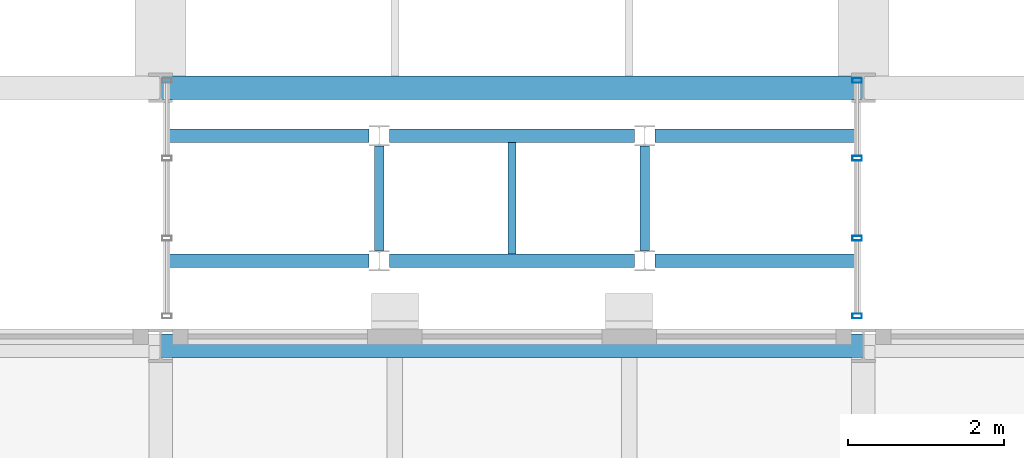
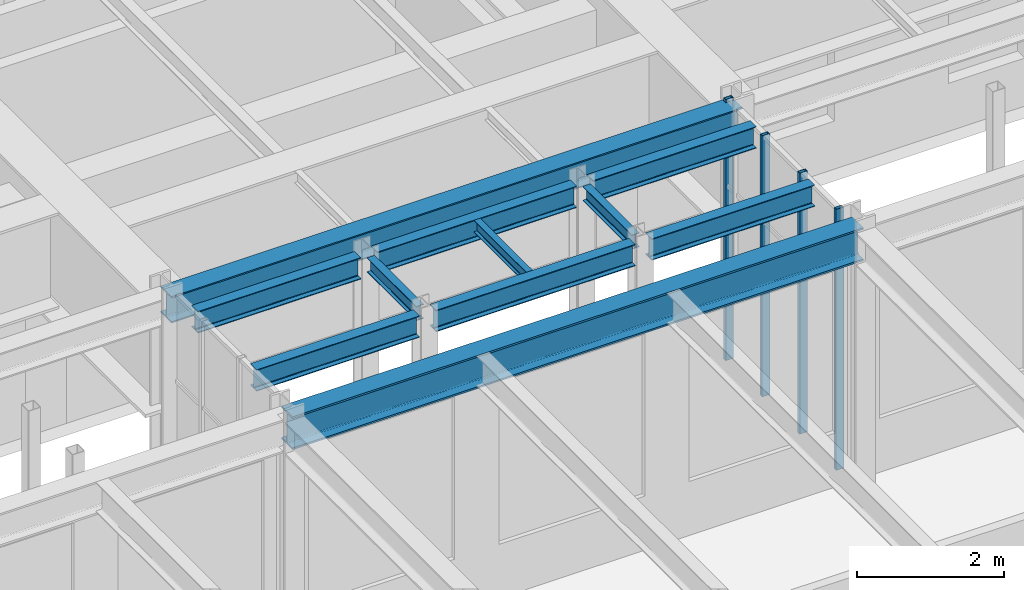
# One storey, part 65 of 153: 11 beams, 4 members, 1 element without a shape of its own.
"""IFC4 building model written with IfcOpenShell, lengths in metres."""

from ifc_helpers import new_model, si_unit, direction, frame, origin, origin_2d, place, context, subcontext, project, spatial, hollow_rectangle, i_section, extrude, material, material_profile, profile_set, type_object, element, aggregate, save


model = new_model("IFC4")

# Units and contexts
model_context = context("Model", 3, precision=1e-05, world=origin(), true_north=direction((0.0, 1.0)))
body_context = subcontext(model_context, "Body", "Model", "MODEL_VIEW")
ifc_project = project(units=[si_unit("LENGTHUNIT", "METRE"), si_unit("AREAUNIT", "SQUARE_METRE"), si_unit("VOLUMEUNIT", "CUBIC_METRE"), si_unit("PLANEANGLEUNIT", "RADIAN"), si_unit("MASSUNIT", "GRAM", prefix="KILO")], contexts=[model_context])

# Site, building, storey
site_placement = place(None, origin())
site = spatial("IfcSite", under=ifc_project, at=site_placement, CompositionType="ELEMENT")
building_placement = place(site_placement, origin())
building = spatial("IfcBuilding", under=site, at=building_placement, Name="Kallimachos Central Library", CompositionType="ELEMENT")
storey_placement = place(building_placement, frame((0.0, 0.0, 5.39990234375)))
storey = spatial("IfcBuildingStorey", under=building, at=storey_placement, Name="L01", CompositionType="ELEMENT", Elevation=5.39990234375)

# Curtain wall, members
ifc_material_1 = material(Name="Aluminium and laminated glass", Category="aluminium")
curtain_wall_type = type_object("IfcCurtainWallType", Name="Link glazed wall", PredefinedType="NOTDEFINED", material=ifc_material_1)
curtain_wall_placement = place(storey_placement, origin())
curtain_wall = element("IfcCurtainWall", 1, at=curtain_wall_placement, inside=storey, type_object=curtain_wall_type, Name="Reading Link glazed wall L01", PredefinedType="NOTDEFINED")
ifc_material_2 = material(Name="Anodised aluminium", Category="aluminium")
ifc_material_profile_1 = material_profile(ifc_material_2, hollow_rectangle(XDim=0.06005859375, YDim=0.1201171875, WallThickness=0.00390625, at=origin_2d()), Name="ALU MULLION 60x120")
ifc_profile_set_1 = profile_set([ifc_material_profile_1], Name="Anodised aluminium")
member_type = type_object("IfcMemberType", Name="ALU MULLION 60x120 mullion", PredefinedType="MULLION", material=ifc_profile_set_1)
member_1_placement = place(storey_placement, frame((92.419921875, 84.22998046875, 0.0), z_axis=(0.0, 0.0, 1.0), x_axis=(0.0, 1.0, 0.0)))
member_1 = element("IfcMember", 2, at=member_1_placement, type_object=member_type, Name="CW65 mullion 1", PredefinedType="MULLION", context=body_context, shape_type="SweptSolid", body=[
    extrude(hollow_rectangle(XDim=0.06005859375, YDim=0.1201171875, WallThickness=0.00390625, at=origin_2d()), origin(), (0.0, 0.0, 1.0), 4.35009765625),
])
member_2_placement = place(storey_placement, frame((92.419921875, 85.22509765625, 0.0), z_axis=(0.0, 0.0, 1.0), x_axis=(0.0, 1.0, 0.0)))
member_2 = element("IfcMember", 3, at=member_2_placement, type_object=member_type, Name="CW65 mullion 2", PredefinedType="MULLION", context=body_context, shape_type="SweptSolid", body=[
    extrude(hollow_rectangle(XDim=0.06005859375, YDim=0.1201171875, WallThickness=0.00390625, at=origin_2d()), origin(), (0.0, 0.0, 1.0), 4.35009765625),
])
member_3_placement = place(storey_placement, frame((92.419921875, 86.25, 0.0), z_axis=(0.0, 0.0, 1.0), x_axis=(0.0, 1.0, 0.0)))
member_3 = element("IfcMember", 4, at=member_3_placement, type_object=member_type, Name="CW65 mullion 3", PredefinedType="MULLION", context=body_context, shape_type="SweptSolid", body=[
    extrude(hollow_rectangle(XDim=0.06005859375, YDim=0.1201171875, WallThickness=0.00390625, at=origin_2d()), origin(), (0.0, 0.0, 1.0), 4.35009765625),
])
member_4_placement = place(storey_placement, frame((92.419921875, 87.2451171875, 0.0), z_axis=(0.0, 0.0, 1.0), x_axis=(0.0, 1.0, 0.0)))
member_4 = element("IfcMember", 5, at=member_4_placement, type_object=member_type, Name="CW65 mullion 4", PredefinedType="MULLION", context=body_context, shape_type="SweptSolid", body=[
    extrude(hollow_rectangle(XDim=0.06005859375, YDim=0.1201171875, WallThickness=0.00390625, at=origin_2d()), origin(), (0.0, 0.0, 1.0), 4.35009765625),
])
aggregate(curtain_wall, [member_1, member_2, member_3, member_4])

# Beams
ifc_material_3 = material(Name="Steel S355J2", Category="steel")
ifc_material_profile_2 = material_profile(ifc_material_3, i_section(OverallWidth=0.300048828125, OverallDepth=0.43994140625, WebThickness=0.011474609375, FlangeThickness=0.02099609375, FilletRadius=0.027099609375, at=origin_2d()), Name="HEA 450")
ifc_profile_set_2 = profile_set([ifc_material_profile_2], Name="Steel S355J2")
beam_type_1 = type_object("IfcBeamType", Name="HEA 450 beam", PredefinedType="BEAM", material=ifc_profile_set_2)
beam_1_placement = place(storey_placement, frame((83.5, 87.14990234375, 4.080078125), z_axis=(1.0, 0.0, 0.0), x_axis=(0.0, 1.0, 0.0)))
element("IfcBeam", 6, at=beam_1_placement, inside=storey, type_object=beam_type_1, Name="V1-BEM-L01-044", PredefinedType="BEAM", context=body_context, shape_type="SweptSolid", body=[
    extrude(i_section(OverallWidth=0.300048828125, OverallDepth=0.43994140625, WebThickness=0.011474609375, FlangeThickness=0.02099609375, FilletRadius=0.027099609375, at=origin_2d()), origin(), (0.0, 0.0, 1.0), 9.0),
])
ifc_material_4 = material(Name="Steel S355J2", Category="steel")
ifc_material_profile_3 = material_profile(ifc_material_4, i_section(OverallWidth=0.300048828125, OverallDepth=0.550048828125, WebThickness=0.014892578125, FlangeThickness=0.029052734375, FilletRadius=0.027099609375, at=origin_2d()), Name="HEB 550")
ifc_profile_set_3 = profile_set([ifc_material_profile_3], Name="Steel S355J2")
beam_type_2 = type_object("IfcBeamType", Name="HEB 550 beam", PredefinedType="BEAM", material=ifc_profile_set_3)
beam_2_placement = place(storey_placement, frame((83.5, 83.85009765625, 4.025146484375), z_axis=(1.0, 0.0, 0.0), x_axis=(0.0, 1.0, 0.0)))
element("IfcBeam", 7, at=beam_2_placement, inside=storey, type_object=beam_type_2, Name="V4-BEM-L01-006", PredefinedType="BEAM", context=body_context, shape_type="SweptSolid", body=[
    extrude(i_section(OverallWidth=0.300048828125, OverallDepth=0.550048828125, WebThickness=0.014892578125, FlangeThickness=0.029052734375, FilletRadius=0.027099609375, at=origin_2d()), origin(), (0.0, 0.0, 1.0), 9.0),
])
ifc_material_5 = material(Name="Steel S355J2", Category="steel")
ifc_material_profile_4 = material_profile(ifc_material_5, i_section(OverallWidth=0.10009765625, OverallDepth=0.199951171875, WebThickness=0.005615234375, FlangeThickness=0.008544921875, FilletRadius=0.011962890625, at=origin_2d()), Name="IPE 200")
ifc_profile_set_4 = profile_set([ifc_material_profile_4], Name="Steel S355J2")
beam_type_3 = type_object("IfcBeamType", Name="IPE 200 beam", PredefinedType="BEAM", material=ifc_profile_set_4)
beam_3_placement = place(storey_placement, frame((88.0, 85.0224609375, 4.25), z_axis=(0.0, 1.0, 0.0), x_axis=(-1.0, 0.0, 0.0)))
element("IfcBeam", 8, at=beam_3_placement, inside=storey, type_object=beam_type_3, Name="links-BEM-L01-016", PredefinedType="BEAM", context=body_context, shape_type="SweptSolid", body=[
    extrude(i_section(OverallWidth=0.10009765625, OverallDepth=0.199951171875, WebThickness=0.005615234375, FlangeThickness=0.008544921875, FilletRadius=0.011962890625, at=origin_2d()), origin(), (0.0, 0.0, 1.0), 1.429931640625),
])
ifc_material_6 = material(Name="Steel S355J2", Category="steel")
ifc_material_profile_5 = material_profile(ifc_material_6, i_section(OverallWidth=0.1201171875, OverallDepth=0.239990234375, WebThickness=0.006103515625, FlangeThickness=0.009765625, FilletRadius=0.014892578125, at=origin_2d()), Name="IPE 240")
ifc_profile_set_5 = profile_set([ifc_material_profile_5], Name="Steel S355J2")
beam_type_4 = type_object("IfcBeamType", Name="IPE 240 beam", PredefinedType="BEAM", material=ifc_profile_set_5)
for number, where, z_axis, x_axis, name in (
    (9, (86.300048828125, 85.0673828125, 4.22998046875), (0.0, 1.0, 0.0), (-1.0, 0.0, 0.0), "links-BEM-L01-017"),
    (10, (89.699951171875, 85.0673828125, 4.22998046875), (0.0, 1.0, 0.0), (-1.0, 0.0, 0.0), "links-BEM-L01-018"),
):
    element("IfcBeam", number, at=place(storey_placement, frame(where, z_axis=z_axis, x_axis=x_axis)), inside=storey, type_object=beam_type_4, Name=name, PredefinedType="BEAM", context=body_context, shape_type="SweptSolid", body=[
        extrude(i_section(OverallWidth=0.1201171875, OverallDepth=0.239990234375, WebThickness=0.006103515625, FlangeThickness=0.009765625, FilletRadius=0.014892578125, at=origin_2d()), origin(), (0.0, 0.0, 1.0), 1.340087890625),
    ])
ifc_material_7 = material(Name="Steel S355J2", Category="steel")
ifc_material_profile_6 = material_profile(ifc_material_7, i_section(OverallWidth=0.169921875, OverallDepth=0.360107421875, WebThickness=0.008056640625, FlangeThickness=0.0126953125, FilletRadius=0.01806640625, at=origin_2d()), Name="IPE 360")
ifc_profile_set_6 = profile_set([ifc_material_profile_6], Name="Steel S355J2")
beam_type_5 = type_object("IfcBeamType", Name="IPE 360 beam", PredefinedType="BEAM", material=ifc_profile_set_6)
beam_4_placement = place(storey_placement, frame((83.60009765625, 84.9375, 4.170166015625), z_axis=(1.0, 0.0, 0.0), x_axis=(0.0, 1.0, 0.0)))
element("IfcBeam", 11, at=beam_4_placement, inside=storey, type_object=beam_type_5, Name="links-BEM-L01-010", PredefinedType="BEAM", context=body_context, shape_type="SweptSolid", body=[
    extrude(i_section(OverallWidth=0.169921875, OverallDepth=0.360107421875, WebThickness=0.008056640625, FlangeThickness=0.0126953125, FilletRadius=0.01806640625, at=origin_2d()), origin(), (0.0, 0.0, 1.0), 2.56982421875),
])
beam_5_placement = place(storey_placement, frame((86.429931640625, 84.9375, 4.170166015625), z_axis=(1.0, 0.0, 0.0), x_axis=(0.0, 1.0, 0.0)))
element("IfcBeam", 12, at=beam_5_placement, inside=storey, type_object=beam_type_5, Name="links-BEM-L01-011", PredefinedType="BEAM", context=body_context, shape_type="SweptSolid", body=[
    extrude(i_section(OverallWidth=0.169921875, OverallDepth=0.360107421875, WebThickness=0.008056640625, FlangeThickness=0.0126953125, FilletRadius=0.01806640625, at=origin_2d()), origin(), (0.0, 0.0, 1.0), 3.14013671875),
])
for number, where, z_axis, x_axis, name in (
    (13, (89.830078125, 84.9375, 4.170166015625), (1.0, 0.0, 0.0), (0.0, 1.0, 0.0), "links-BEM-L01-012"),
    (14, (83.60009765625, 86.53759765625, 4.170166015625), (1.0, 0.0, 0.0), (0.0, 1.0, 0.0), "links-BEM-L01-013"),
):
    element("IfcBeam", number, at=place(storey_placement, frame(where, z_axis=z_axis, x_axis=x_axis)), inside=storey, type_object=beam_type_5, Name=name, PredefinedType="BEAM", context=body_context, shape_type="SweptSolid", body=[
        extrude(i_section(OverallWidth=0.169921875, OverallDepth=0.360107421875, WebThickness=0.008056640625, FlangeThickness=0.0126953125, FilletRadius=0.01806640625, at=origin_2d()), origin(), (0.0, 0.0, 1.0), 2.56982421875),
    ])
beam_6_placement = place(storey_placement, frame((86.429931640625, 86.53759765625, 4.170166015625), z_axis=(1.0, 0.0, 0.0), x_axis=(0.0, 1.0, 0.0)))
element("IfcBeam", 15, at=beam_6_placement, inside=storey, type_object=beam_type_5, Name="links-BEM-L01-014", PredefinedType="BEAM", context=body_context, shape_type="SweptSolid", body=[
    extrude(i_section(OverallWidth=0.169921875, OverallDepth=0.360107421875, WebThickness=0.008056640625, FlangeThickness=0.0126953125, FilletRadius=0.01806640625, at=origin_2d()), origin(), (0.0, 0.0, 1.0), 3.14013671875),
])
beam_7_placement = place(storey_placement, frame((89.830078125, 86.53759765625, 4.170166015625), z_axis=(1.0, 0.0, 0.0), x_axis=(0.0, 1.0, 0.0)))
element("IfcBeam", 16, at=beam_7_placement, inside=storey, type_object=beam_type_5, Name="links-BEM-L01-015", PredefinedType="BEAM", context=body_context, shape_type="SweptSolid", body=[
    extrude(i_section(OverallWidth=0.169921875, OverallDepth=0.360107421875, WebThickness=0.008056640625, FlangeThickness=0.0126953125, FilletRadius=0.01806640625, at=origin_2d()), origin(), (0.0, 0.0, 1.0), 2.56982421875),
])

save(model, "model.ifc")
